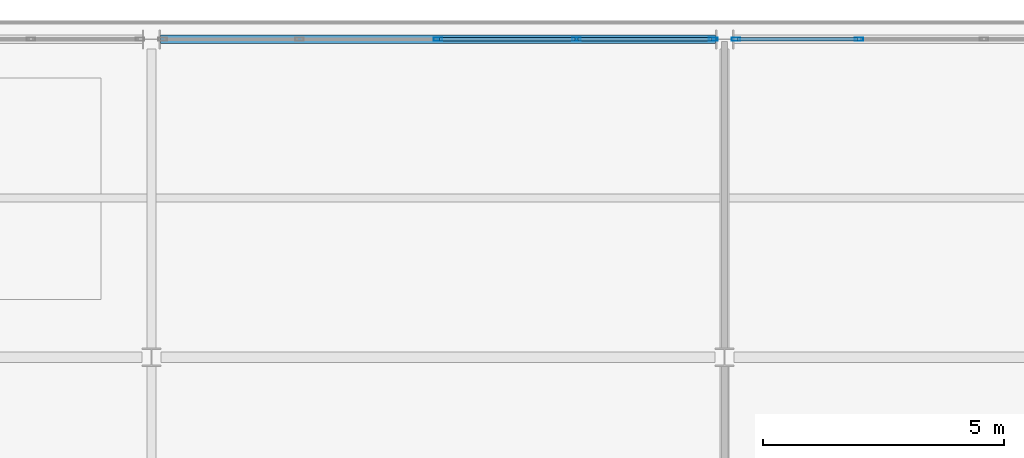
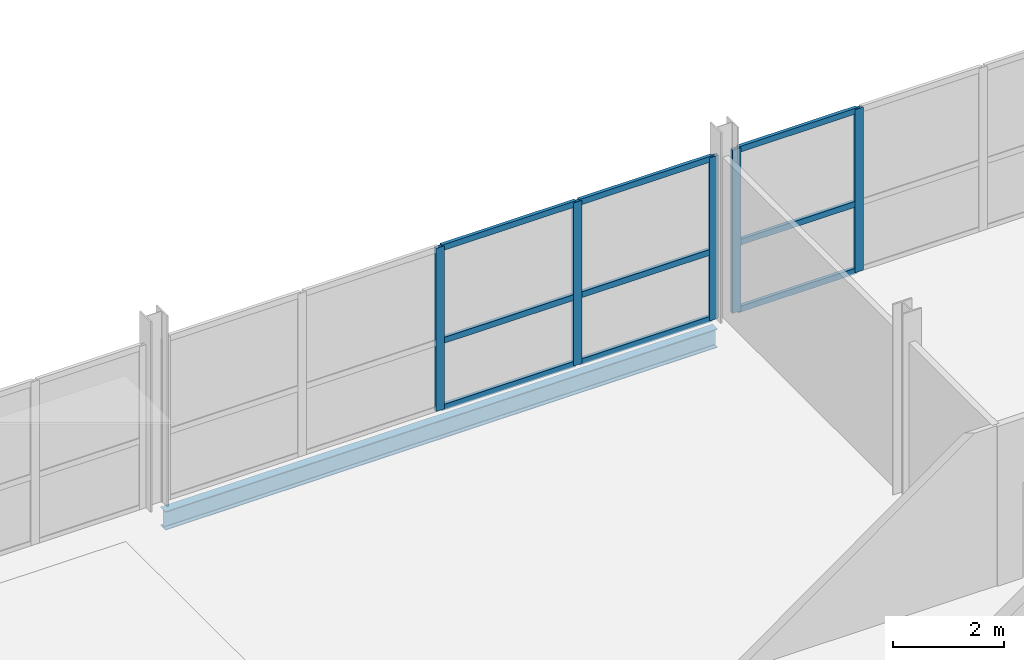
# One storey, part 25 of 65: 14 members, 1 beam, 2 elements without a shape of their own.
"""IFC4 building model written with IfcOpenShell, lengths in metres."""

import ifcopenshell
import ifcopenshell.guid

model = None  # the IFC model being written
_history = None  # IfcOwnerHistory: only IFC2X3 demands one
_inside = {}  # id of a spatial element -> (the spatial element, [elements in it])
_under = {}  # id of a project, library or spatial element -> (it, [spatial elements below it])
_declared = {}  # id of a project -> (the project, [libraries it declares])
_typed = {}  # id of a type object -> (the type object, [elements of that type])
_made_of = {}  # id of a material, layer set ... -> (it, [elements and type objects made of it])


def new_model(schema):
    """Start an empty IFC model of exactly this schema.

    Asked for "IFC4X3", IfcOpenShell would pick the latest addendum, in which some entities
    have other attributes; the version numbers below select the first issue.
    IFC2X3 requires an IfcOwnerHistory on every rooted entity: one is made here for all.
    """
    global model, _history
    if schema == "IFC4X3":
        model = ifcopenshell.file(schema_version=(4, 3, 0, 0))
    else:
        model = ifcopenshell.file(schema=schema)
    _inside.clear()
    _under.clear()
    _declared.clear()
    _typed.clear()
    _made_of.clear()
    _history = None
    if model.schema == "IFC2X3":
        org = make("IfcOrganization", Name="unknown")
        user = make(
            "IfcPersonAndOrganization",
            ThePerson=make("IfcPerson", FamilyName="unknown"),
            TheOrganization=org,
        )
        app = make(
            "IfcApplication",
            ApplicationDeveloper=org,
            Version="unknown",
            ApplicationFullName="unknown",
            ApplicationIdentifier="unknown",
        )
        _history = make(
            "IfcOwnerHistory",
            OwningUser=user,
            OwningApplication=app,
            ChangeAction="ADDED",
            CreationDate=0,
        )
    return model


def make(cls, **values):
    """One entity of the class cls with the attributes given. An attribute that is None is left unset."""
    return model.create_entity(
        cls, **{name: value for name, value in values.items() if value is not None}
    )


def rooted(cls, **values):
    """An entity with a GlobalId (a new one), such as an element, a storey or a relation."""
    return make(cls, GlobalId=ifcopenshell.guid.new(), OwnerHistory=_history, **values)


def si_unit(unit_type, name, prefix=None):
    """IfcSIUnit, for example si_unit("LENGTHUNIT", "METRE", prefix="MILLI")."""
    return make("IfcSIUnit", UnitType=unit_type, Prefix=prefix, Name=name)


def assignment(units):
    """IfcUnitAssignment: the units of a project."""
    return None if units is None else make("IfcUnitAssignment", Units=units)


def point(xyz):
    """IfcCartesianPoint."""
    return None if xyz is None else make("IfcCartesianPoint", Coordinates=xyz)


def direction(xyz):
    """IfcDirection."""
    return None if xyz is None else make("IfcDirection", DirectionRatios=xyz)


def frame(location, z_axis=None, x_axis=None):
    """IfcAxis2Placement3D, a coordinate frame: its origin and axes. An axis left out is left unset."""
    return make(
        "IfcAxis2Placement3D",
        Location=point(location),
        Axis=direction(z_axis),
        RefDirection=direction(x_axis),
    )


def frame_2d(location, x_axis=None):
    """IfcAxis2Placement2D, a coordinate frame in the plane: its origin and x axis."""
    return make(
        "IfcAxis2Placement2D", Location=point(location), RefDirection=direction(x_axis)
    )


def origin():
    """The frame at (0, 0, 0) with its axes left unset."""
    return frame((0.0, 0.0, 0.0))


def origin_2d():
    """The frame at (0, 0) in the plane with its x axis left unset."""
    return frame_2d((0.0, 0.0))


def place(relative_to, where):
    """IfcLocalPlacement: puts the frame where relative to a parent placement (None: the world)."""
    return make(
        "IfcLocalPlacement", PlacementRelTo=relative_to, RelativePlacement=where
    )


def context(
    kind, dimensions, precision=None, world=None, true_north=None, identifier=None
):
    """IfcGeometricRepresentationContext, for example the 3D "Model" context."""
    return make(
        "IfcGeometricRepresentationContext",
        ContextIdentifier=identifier,
        ContextType=kind,
        CoordinateSpaceDimension=dimensions,
        Precision=precision,
        WorldCoordinateSystem=world,
        TrueNorth=true_north,
    )


def subcontext(parent, identifier, kind, view, scale=None):
    """IfcGeometricRepresentationSubContext, for example "Body" below "Model"."""
    return make(
        "IfcGeometricRepresentationSubContext",
        ContextIdentifier=identifier,
        ContextType=kind,
        ParentContext=parent,
        TargetScale=scale,
        TargetView=view,
    )


def project(units=None, contexts=None):
    """IfcProject with its units and contexts."""
    return rooted(
        "IfcProject",
        Name="project",
        RepresentationContexts=contexts,
        UnitsInContext=assignment(units),
    )


def spatial(cls, under=None, at=None, **own):
    """A site, building, storey or space (cls), placed at a placement, below another one or the project."""
    s = rooted(cls, ObjectPlacement=at, **own)
    if under is not None:
        _under.setdefault(under.id(), (under, []))[1].append(s)
    return s


def profile(cls, at=None, kind="AREA", **sizes):
    """A parametric profile (cls). Its sizes go by their IFC names, for example OverallWidth=200.0."""
    return make(cls, ProfileType=kind, Position=at, **sizes)


def hollow_rectangle(**sizes):
    """IfcRectangleHollowProfileDef."""
    return profile("IfcRectangleHollowProfileDef", **sizes)


def i_section(**sizes):
    """IfcIShapeProfileDef."""
    return profile("IfcIShapeProfileDef", **sizes)


def extrude(swept, where, along, depth):
    """IfcExtrudedAreaSolid: the profile swept, set in the frame where, extruded along a direction by depth."""
    return make(
        "IfcExtrudedAreaSolid",
        SweptArea=swept,
        Position=where,
        ExtrudedDirection=direction(along),
        Depth=depth,
    )


def shape(context_of_items, identifier, shape_type, items):
    """IfcShapeRepresentation: the items that make up one representation, for example the "Body"."""
    return make(
        "IfcShapeRepresentation",
        ContextOfItems=context_of_items,
        RepresentationIdentifier=identifier,
        RepresentationType=shape_type,
        Items=items,
    )


def material(Name=None, Category=None):
    """IfcMaterial."""
    return make("IfcMaterial", Name=Name, Category=Category)


def layer(
    of_material, thickness, ventilated=None, Name=None, Category=None, Priority=None
):
    """IfcMaterialLayer: one layer of a wall or slab, of a material (None: an air gap)."""
    return make(
        "IfcMaterialLayer",
        Material=of_material,
        LayerThickness=thickness,
        IsVentilated=ventilated,
        Name=Name,
        Category=Category,
        Priority=Priority,
    )


def layer_set(layers, Name=None):
    """IfcMaterialLayerSet."""
    return make("IfcMaterialLayerSet", MaterialLayers=layers, LayerSetName=Name)


def material_profile(
    of_material, cross_section, Name=None, Category=None, Priority=None
):
    """IfcMaterialProfile: a cross section and its material."""
    return make(
        "IfcMaterialProfile",
        Name=Name,
        Material=of_material,
        Profile=cross_section,
        Priority=Priority,
        Category=Category,
    )


def profile_set(profiles, Name=None, composite=None):
    """IfcMaterialProfileSet."""
    return make(
        "IfcMaterialProfileSet",
        Name=Name,
        MaterialProfiles=profiles,
        CompositeProfile=composite,
    )


def made_of(thing, what):
    """Note that an element or type object is made of a material, layer set ...; save() writes the relation."""
    if what is not None:
        _made_of.setdefault(what.id(), (what, []))[1].append(thing)
    return thing


def type_object(cls, material=None, **own):
    """A type object (cls), such as IfcWallType, which elements share."""
    return made_of(rooted(cls, **own), material)


def element(
    cls,
    number,
    at=None,
    inside=None,
    cuts=None,
    type_object=None,
    material=None,
    context=None,
    identifier="Body",
    shape_type=None,
    held_by="IfcProductDefinitionShape",
    body=None,
    shapes=None,
    **own,
):
    """One element of the class cls, such as IfcWall. Its Tag is "e" and its number.

    at: its placement. inside: the storey or other place that contains it. cuts: it is an
    opening in that element (IfcRelVoidsElement). A single representation is given by context,
    identifier, shape_type and body (its items); several are given by shapes. held_by: the class
    of the entity that holds the representations. save() writes the other relations.
    """
    e = rooted(cls, Tag="e%d" % number, ObjectPlacement=at, **own)
    if body is not None:
        shapes = [shape(context, identifier, shape_type, body)]
    if shapes is not None:
        e.Representation = make(held_by, Representations=shapes)
    if inside is not None:
        _inside.setdefault(inside.id(), (inside, []))[1].append(e)
    if cuts is not None:
        rooted(
            "IfcRelVoidsElement", RelatingBuildingElement=cuts, RelatedOpeningElement=e
        )
    if type_object is not None:
        _typed.setdefault(type_object.id(), (type_object, []))[1].append(e)
    return made_of(e, material)


def aggregate(whole, parts):
    """IfcRelAggregates: a whole, such as a stair, and the parts it consists of."""
    return rooted("IfcRelAggregates", RelatingObject=whole, RelatedObjects=parts)


def save(model, path):
    """Write the relations noted so far, then the file.

    IfcRelAggregates (storeys below a building ...), IfcRelContainedInSpatialStructure (elements
    in a storey), IfcRelDefinesByType, IfcRelAssociatesMaterial and IfcRelDeclares: one each for
    every whole, place, type object, material and project.
    """
    for whole, parts in _under.values():
        aggregate(whole, parts)
    for where, things in _inside.values():
        rooted(
            "IfcRelContainedInSpatialStructure",
            RelatedElements=things,
            RelatingStructure=where,
        )
    for kind, things in _typed.values():
        rooted("IfcRelDefinesByType", RelatedObjects=things, RelatingType=kind)
    for what, things in _made_of.values():
        rooted("IfcRelAssociatesMaterial", RelatedObjects=things, RelatingMaterial=what)
    for by, libraries in _declared.values():
        rooted("IfcRelDeclares", RelatingContext=by, RelatedDefinitions=libraries)
    model.write(path)


model = new_model("IFC4")

# Units and contexts
model_context = context("Model", 3, precision=1e-05, world=origin(), true_north=direction((0.0, 1.0)))
body_context = subcontext(model_context, "Body", "Model", "MODEL_VIEW")
ifc_project = project(units=[si_unit("LENGTHUNIT", "METRE"), si_unit("AREAUNIT", "SQUARE_METRE"), si_unit("VOLUMEUNIT", "CUBIC_METRE"), si_unit("PLANEANGLEUNIT", "RADIAN"), si_unit("MASSUNIT", "GRAM", prefix="KILO")], contexts=[model_context])

# Site, building, storey
site_placement = place(None, origin())
site = spatial("IfcSite", under=ifc_project, at=site_placement, CompositionType="ELEMENT")
building_placement = place(site_placement, origin())
building = spatial("IfcBuilding", under=site, at=building_placement, Name="Quillay Park Conservatory", CompositionType="ELEMENT")
storey_placement = place(building_placement, frame((0.0, 0.0, 14.10009765625)))
storey = spatial("IfcBuildingStorey", under=building, at=storey_placement, Name="L03", CompositionType="ELEMENT", Elevation=14.10009765625)

# Curtain wall, members
ifc_material_1 = material(Name="Thermally Broken Anodised Aluminium 6063-T6", Category="aluminium")
ifc_layer = layer(ifc_material_1, 0.179931640625)
ifc_layer_set = layer_set([ifc_layer], Name="UNITISED CURTAIN WALL TOWER (Thermally Broken Anodised Aluminium 6063-T6)")
curtain_wall_type = type_object("IfcCurtainWallType", Name="UNITISED CURTAIN WALL TOWER", PredefinedType="USERDEFINED", material=ifc_layer_set)
curtain_wall_1_placement = place(storey_placement, origin())
curtain_wall_1 = element("IfcCurtainWall", 1, at=curtain_wall_1_placement, inside=storey, type_object=curtain_wall_type, Name="L03 Unitised Curtain Wall 036", ObjectType="UNITISED CURTAIN WALL", PredefinedType="USERDEFINED")
ifc_material_2 = material(Name="Thermally Broken Anodised Aluminium 6063-T6", Category="aluminium")
ifc_material_profile_1 = material_profile(ifc_material_2, hollow_rectangle(XDim=0.070068359375, YDim=0.179931640625, WallThickness=0.00390625, at=origin_2d()), Name="AL70x180x4")
ifc_profile_set_1 = profile_set([ifc_material_profile_1], Name="Thermally Broken Anodised Aluminium 6063-T6")
member_type_1 = type_object("IfcMemberType", Name="CURTAIN WALL MULLION 70 X180", PredefinedType="MULLION", material=ifc_profile_set_1)
member_1_placement = place(storey_placement, frame((13.800048828125, 113.39990234375, 0.0), z_axis=(0.0, 0.0, 1.0), x_axis=(0.0, 1.0, 0.0)))
member_1 = element("IfcMember", 2, at=member_1_placement, type_object=member_type_1, Name="CW-T1 mullion 3", PredefinedType="MULLION", context=body_context, shape_type="SweptSolid", body=[
    extrude(hollow_rectangle(XDim=0.070068359375, YDim=0.179931640625, WallThickness=0.00390625, at=origin_2d()), origin(), (0.0, 0.0, 1.0), 3.598876953125),
])
member_2_placement = place(storey_placement, frame((16.675048828125, 113.39990234375, 0.0), z_axis=(0.0, 0.0, 1.0), x_axis=(0.0, 1.0, 0.0)))
member_2 = element("IfcMember", 3, at=member_2_placement, type_object=member_type_1, Name="CW-T1 mullion 4", PredefinedType="MULLION", context=body_context, shape_type="SweptSolid", body=[
    extrude(hollow_rectangle(XDim=0.070068359375, YDim=0.179931640625, WallThickness=0.00390625, at=origin_2d()), origin(), (0.0, 0.0, 1.0), 3.598876953125),
])
member_3_placement = place(storey_placement, frame((19.514892578125, 113.39990234375, 0.0), z_axis=(0.0, 0.0, 1.0), x_axis=(0.0, 1.0, 0.0)))
member_3 = element("IfcMember", 4, at=member_3_placement, type_object=member_type_1, Name="CW-T1 mullion 5", PredefinedType="MULLION", context=body_context, shape_type="SweptSolid", body=[
    extrude(hollow_rectangle(XDim=0.070068359375, YDim=0.179931640625, WallThickness=0.00390625, at=origin_2d()), origin(), (0.0, 0.0, 1.0), 3.598876953125),
])

curtain_wall_2_placement = place(storey_placement, origin())
curtain_wall_2 = element("IfcCurtainWall", 5, at=curtain_wall_2_placement, inside=storey, type_object=curtain_wall_type, Name="L03 Unitised Curtain Wall 037", ObjectType="UNITISED CURTAIN WALL", PredefinedType="USERDEFINED")
member_4_placement = place(storey_placement, frame((19.985107421875, 113.39990234375, 0.0), z_axis=(0.0, 0.0, 1.0), x_axis=(0.0, 1.0, 0.0)))
member_4 = element("IfcMember", 6, at=member_4_placement, type_object=member_type_1, Name="CW-T1 mullion 1", PredefinedType="MULLION", context=body_context, shape_type="SweptSolid", body=[
    extrude(hollow_rectangle(XDim=0.070068359375, YDim=0.179931640625, WallThickness=0.00390625, at=origin_2d()), origin(), (0.0, 0.0, 1.0), 3.598876953125),
])
member_5_placement = place(storey_placement, frame((22.541748046875, 113.39990234375, 0.0), z_axis=(0.0, 0.0, 1.0), x_axis=(0.0, 1.0, 0.0)))
member_5 = element("IfcMember", 7, at=member_5_placement, type_object=member_type_1, Name="CW-T1 mullion 2", PredefinedType="MULLION", context=body_context, shape_type="SweptSolid", body=[
    extrude(hollow_rectangle(XDim=0.070068359375, YDim=0.179931640625, WallThickness=0.00390625, at=origin_2d()), origin(), (0.0, 0.0, 1.0), 3.598876953125),
])

# Member
ifc_material_3 = material(Name="Thermally Broken Anodised Aluminium 6063-T6", Category="aluminium")
ifc_material_profile_2 = material_profile(ifc_material_3, hollow_rectangle(XDim=0.070068359375, YDim=0.1298828125, WallThickness=0.003173828125, at=origin_2d()), Name="AL70x130x3.2")
ifc_profile_set_2 = profile_set([ifc_material_profile_2], Name="Thermally Broken Anodised Aluminium 6063-T6")
member_type_2 = type_object("IfcMemberType", Name="CURTAIN WALL TRANSOM 70 X130", PredefinedType="USERDEFINED", material=ifc_profile_set_2)
member_6_placement = place(storey_placement, frame((13.8349609375, 113.39990234375, 0.034912109375), z_axis=(1.0, 0.0, 0.0), x_axis=(0.0, 1.0, 0.0)))
member_6 = element("IfcMember", 8, at=member_6_placement, type_object=member_type_2, Name="CW-T1 transom 3.1", ObjectType="TRANSOM", PredefinedType="USERDEFINED", context=body_context, shape_type="SweptSolid", body=[
    extrude(hollow_rectangle(XDim=0.070068359375, YDim=0.1298828125, WallThickness=0.003173828125, at=origin_2d()), origin(), (0.0, 0.0, 1.0), 2.804931640625),
])

member_7_placement = place(storey_placement, frame((13.8349609375, 113.39990234375, 1.511474609375), z_axis=(1.0, 0.0, 0.0), x_axis=(0.0, 1.0, 0.0)))
member_7 = element("IfcMember", 9, at=member_7_placement, type_object=member_type_2, Name="CW-T1 transom 3.2", ObjectType="TRANSOM", PredefinedType="USERDEFINED", context=body_context, shape_type="SweptSolid", body=[
    extrude(hollow_rectangle(XDim=0.070068359375, YDim=0.1298828125, WallThickness=0.003173828125, at=origin_2d()), origin(), (0.0, 0.0, 1.0), 2.804931640625),
])

member_8_placement = place(storey_placement, frame((13.8349609375, 113.39990234375, 3.56396484375), z_axis=(1.0, 0.0, 0.0), x_axis=(0.0, 1.0, 0.0)))
member_8 = element("IfcMember", 10, at=member_8_placement, type_object=member_type_2, Name="CW-T1 transom 3.3", ObjectType="TRANSOM", PredefinedType="USERDEFINED", context=body_context, shape_type="SweptSolid", body=[
    extrude(hollow_rectangle(XDim=0.070068359375, YDim=0.1298828125, WallThickness=0.003173828125, at=origin_2d()), origin(), (0.0, 0.0, 1.0), 2.804931640625),
])

member_9_placement = place(storey_placement, frame((16.7099609375, 113.39990234375, 0.034912109375), z_axis=(1.0, 0.0, 0.0), x_axis=(0.0, 1.0, 0.0)))
member_9 = element("IfcMember", 11, at=member_9_placement, type_object=member_type_2, Name="CW-T1 transom 4.1", ObjectType="TRANSOM", PredefinedType="USERDEFINED", context=body_context, shape_type="SweptSolid", body=[
    extrude(hollow_rectangle(XDim=0.070068359375, YDim=0.1298828125, WallThickness=0.003173828125, at=origin_2d()), origin(), (0.0, 0.0, 1.0), 2.77001953125),
])

member_10_placement = place(storey_placement, frame((16.7099609375, 113.39990234375, 1.511474609375), z_axis=(1.0, 0.0, 0.0), x_axis=(0.0, 1.0, 0.0)))
member_10 = element("IfcMember", 12, at=member_10_placement, type_object=member_type_2, Name="CW-T1 transom 4.2", ObjectType="TRANSOM", PredefinedType="USERDEFINED", context=body_context, shape_type="SweptSolid", body=[
    extrude(hollow_rectangle(XDim=0.070068359375, YDim=0.1298828125, WallThickness=0.003173828125, at=origin_2d()), origin(), (0.0, 0.0, 1.0), 2.77001953125),
])

member_11_placement = place(storey_placement, frame((16.7099609375, 113.39990234375, 3.56396484375), z_axis=(1.0, 0.0, 0.0), x_axis=(0.0, 1.0, 0.0)))
member_11 = element("IfcMember", 13, at=member_11_placement, type_object=member_type_2, Name="CW-T1 transom 4.3", ObjectType="TRANSOM", PredefinedType="USERDEFINED", context=body_context, shape_type="SweptSolid", body=[
    extrude(hollow_rectangle(XDim=0.070068359375, YDim=0.1298828125, WallThickness=0.003173828125, at=origin_2d()), origin(), (0.0, 0.0, 1.0), 2.77001953125),
])

aggregate(curtain_wall_1, [member_1, member_2, member_3, member_6, member_7, member_8, member_9, member_10, member_11])

member_12_placement = place(storey_placement, frame((20.02001953125, 113.39990234375, 0.034912109375), z_axis=(1.0, 0.0, 0.0), x_axis=(0.0, 1.0, 0.0)))
member_12 = element("IfcMember", 14, at=member_12_placement, type_object=member_type_2, Name="CW-T1 transom 1.1", ObjectType="TRANSOM", PredefinedType="USERDEFINED", context=body_context, shape_type="SweptSolid", body=[
    extrude(hollow_rectangle(XDim=0.070068359375, YDim=0.1298828125, WallThickness=0.003173828125, at=origin_2d()), origin(), (0.0, 0.0, 1.0), 2.486572265625),
])

member_13_placement = place(storey_placement, frame((20.02001953125, 113.39990234375, 1.511474609375), z_axis=(1.0, 0.0, 0.0), x_axis=(0.0, 1.0, 0.0)))
member_13 = element("IfcMember", 15, at=member_13_placement, type_object=member_type_2, Name="CW-T1 transom 1.2", ObjectType="TRANSOM", PredefinedType="USERDEFINED", context=body_context, shape_type="SweptSolid", body=[
    extrude(hollow_rectangle(XDim=0.070068359375, YDim=0.1298828125, WallThickness=0.003173828125, at=origin_2d()), origin(), (0.0, 0.0, 1.0), 2.486572265625),
])

member_14_placement = place(storey_placement, frame((20.02001953125, 113.39990234375, 3.56396484375), z_axis=(1.0, 0.0, 0.0), x_axis=(0.0, 1.0, 0.0)))
member_14 = element("IfcMember", 16, at=member_14_placement, type_object=member_type_2, Name="CW-T1 transom 1.3", ObjectType="TRANSOM", PredefinedType="USERDEFINED", context=body_context, shape_type="SweptSolid", body=[
    extrude(hollow_rectangle(XDim=0.070068359375, YDim=0.1298828125, WallThickness=0.003173828125, at=origin_2d()), origin(), (0.0, 0.0, 1.0), 2.486572265625),
])

aggregate(curtain_wall_2, [member_4, member_5, member_12, member_13, member_14])

# Beam
ifc_material_4 = material(Name="Steel ASTM A992 Grade 50", Category="steel")
ifc_material_profile_3 = material_profile(ifc_material_4, i_section(OverallWidth=0.179931640625, OverallDepth=0.4130859375, WebThickness=0.009765625, FlangeThickness=0.01611328125, FilletRadius=0.011962890625, at=origin_2d()), Name="W410x74")
ifc_profile_set_3 = profile_set([ifc_material_profile_3], Name="Steel ASTM A992 Grade 50")
beam_type = type_object("IfcBeamType", Name="PERIMETER SPANDREL BEAM W410 X74", PredefinedType="SPANDREL", material=ifc_profile_set_3)
beam_placement = place(storey_placement, frame((8.0400390625, 113.39990234375, -0.3916015625), z_axis=(1.0, 0.0, 0.0), x_axis=(0.0, 1.0, 0.0)))
element("IfcBeam", 17, at=beam_placement, inside=storey, type_object=beam_type, Name="L03 beam BM-SP-0264", PredefinedType="SPANDREL", context=body_context, shape_type="SweptSolid", body=[
    extrude(i_section(OverallWidth=0.179931640625, OverallDepth=0.4130859375, WebThickness=0.009765625, FlangeThickness=0.01611328125, FilletRadius=0.011962890625, at=origin_2d()), origin(), (0.0, 0.0, 1.0), 11.52001953125),
])

save(model, "model.ifc")
